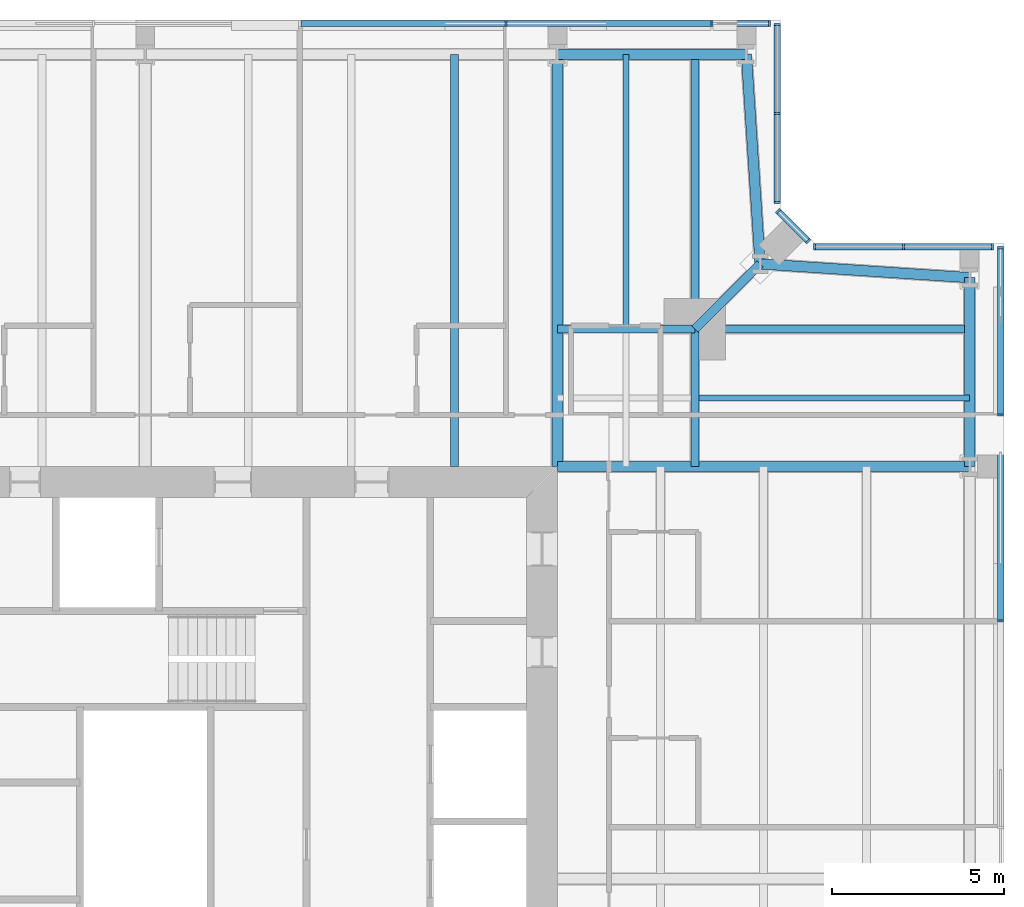
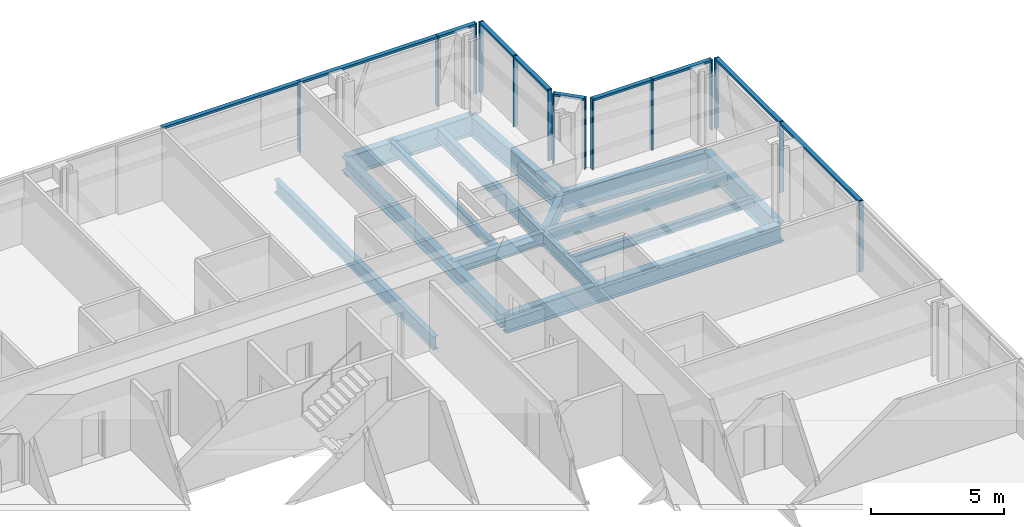
# One storey, part 9 of 20: 24 members, 14 beams, 5 elements without a shape of their own.
"""IFC4 building model written with IfcOpenShell, lengths in metres."""

from ifc_helpers import new_model, si_unit, direction, frame, origin, origin_2d, place, context, subcontext, project, spatial, rectangle, i_section, extrude, material, material_profile, profile_set, type_object, element, aggregate, save


model = new_model("IFC4")

# Units and contexts
model_context = context("Model", 3, precision=1e-05, world=origin(), true_north=direction((0.0, 1.0)))
body_context = subcontext(model_context, "Body", "Model", "MODEL_VIEW")
ifc_project = project(units=[si_unit("LENGTHUNIT", "METRE"), si_unit("AREAUNIT", "SQUARE_METRE"), si_unit("VOLUMEUNIT", "CUBIC_METRE"), si_unit("PLANEANGLEUNIT", "RADIAN"), si_unit("MASSUNIT", "GRAM", prefix="KILO")], contexts=[model_context])

# Site, building, storey
site_placement = place(None, origin())
site = spatial("IfcSite", under=ifc_project, at=site_placement, CompositionType="ELEMENT")
building_placement = place(site_placement, origin())
building = spatial("IfcBuilding", under=site, at=building_placement, Name="Fenwick Lantern Interchange", CompositionType="ELEMENT")
storey_placement = place(building_placement, frame((0.0, 0.0, 245.800048828125)))
storey = spatial("IfcBuildingStorey", under=building, at=storey_placement, Name="L57", CompositionType="ELEMENT", Elevation=245.800048828125)

# Beams
ifc_material_1 = material(Name="Steel ASTM A992 Grade 50", Category="steel")
ifc_material_profile_1 = material_profile(ifc_material_1, i_section(OverallWidth=0.3046875, OverallDepth=0.911865234375, WebThickness=0.015869140625, FlangeThickness=0.02392578125, at=origin_2d()), Name="W36X150")
ifc_profile_set_1 = profile_set([ifc_material_profile_1], Name="Steel ASTM A992 Grade 50")
beam_type_1 = type_object("IfcBeamType", Name="EDGE BEAM W36X150", PredefinedType="SPANDREL", material=ifc_profile_set_1)
beam_1_placement = place(storey_placement, frame((49.0, 37.0, -0.60595703125), z_axis=(0.0, 1.0, 0.0), x_axis=(-1.0, 0.0, 0.0)))
element("IfcBeam", 1, at=beam_1_placement, inside=storey, type_object=beam_type_1, Name="L57/FR/E/EB4", PredefinedType="SPANDREL", context=body_context, shape_type="SweptSolid", body=[
    extrude(i_section(OverallWidth=0.3046875, OverallDepth=0.911865234375, WebThickness=0.015869140625, FlangeThickness=0.02392578125, at=origin_2d()), origin(), (0.0, 0.0, 1.0), 5.5),
])
for number, where, z_axis, x_axis, name in (
    (2, (49.0, 42.5, -0.60595703125), (-0.997858060337, 0.065416293237, 0.0), (-0.065416293237, -0.997858060337, 0.0), "L57/FR/E/EBR1"),
    (3, (42.89990234375, 42.89990234375, -0.60595703125), (-0.065416293237, 0.997858060337, 0.0), (-0.997858060337, -0.065416293237, 0.0), "L57/FR/E/EBR2"),
):
    element("IfcBeam", number, at=place(storey_placement, frame(where, z_axis=z_axis, x_axis=x_axis)), inside=storey, type_object=beam_type_1, Name=name, PredefinedType="SPANDREL", context=body_context, shape_type="SweptSolid", body=[
        extrude(i_section(OverallWidth=0.3046875, OverallDepth=0.911865234375, WebThickness=0.015869140625, FlangeThickness=0.02392578125, at=origin_2d()), origin(), (0.0, 0.0, 1.0), 6.11328125),
    ])
beam_2_placement = place(storey_placement, frame((42.5, 49.0, -0.60595703125), z_axis=(-1.0, 0.0, 0.0), x_axis=(0.0, -1.0, 0.0)))
element("IfcBeam", 4, at=beam_2_placement, inside=storey, type_object=beam_type_1, Name="L57/FR/N/EB1", PredefinedType="SPANDREL", context=body_context, shape_type="SweptSolid", body=[
    extrude(i_section(OverallWidth=0.3046875, OverallDepth=0.911865234375, WebThickness=0.015869140625, FlangeThickness=0.02392578125, at=origin_2d()), origin(), (0.0, 0.0, 1.0), 5.5),
])
ifc_material_profile_2 = material_profile(ifc_material_1, i_section(OverallWidth=0.22900390625, OverallDepth=0.612060546875, WebThickness=0.011962890625, FlangeThickness=0.01953125, at=origin_2d()), Name="W24X84")
ifc_profile_set_2 = profile_set([ifc_material_profile_2], Name="Steel ASTM A992 Grade 50")
beam_type_2 = type_object("IfcBeamType", Name="FLOOR BEAM W24X84", PredefinedType="BEAM", material=ifc_profile_set_2)
beam_3_placement = place(storey_placement, frame((34.0, 49.0, -0.4560546875), z_axis=(0.0, -1.0, 0.0), x_axis=(1.0, 0.0, 0.0)))
element("IfcBeam", 5, at=beam_3_placement, inside=storey, type_object=beam_type_2, Name="L57/FR/N/R02", PredefinedType="BEAM", context=body_context, shape_type="SweptSolid", body=[
    extrude(i_section(OverallWidth=0.22900390625, OverallDepth=0.612060546875, WebThickness=0.011962890625, FlangeThickness=0.01953125, at=origin_2d()), origin(), (0.0, 0.0, 1.0), 12.0),
])

# Curtain wall, members
ifc_material_2 = material(Name="Aluminium curtain wall frame", Category="aluminium")
curtain_wall_type = type_object("IfcCurtainWallType", Name="HOTEL CURTAIN WALL", PredefinedType="USERDEFINED", material=ifc_material_2)
curtain_wall_1_placement = place(storey_placement, origin())
curtain_wall_1 = element("IfcCurtainWall", 6, at=curtain_wall_1_placement, inside=storey, type_object=curtain_wall_type, Name="Hotel curtain wall 05", ObjectType="HOTEL CURTAIN WALL", PredefinedType="USERDEFINED")
ifc_material_3 = material(Name="Aluminium extrusion", Category="aluminium")
ifc_material_profile_3 = material_profile(ifc_material_3, rectangle(XDim=0.179931640625, YDim=0.06005859375, at=origin_2d()), Name="HOTEL CURTAIN WALL MULLION 60 X 180")
ifc_profile_set_3 = profile_set([ifc_material_profile_3], Name="Aluminium extrusion")
member_type_1 = type_object("IfcMemberType", Name="HOTEL CURTAIN WALL MULLION 60 X 180", PredefinedType="MULLION", material=ifc_profile_set_3)
member_1_placement = place(storey_placement, frame((49.89990234375, 32.5, 0.0), z_axis=(0.0, 0.0, 1.0), x_axis=(-1.0, 0.0, 0.0)))
member_1 = element("IfcMember", 7, at=member_1_placement, type_object=member_type_1, Name="L57/CW/05/M05", PredefinedType="MULLION", context=body_context, shape_type="SweptSolid", body=[
    extrude(rectangle(XDim=0.179931640625, YDim=0.06005859375, at=origin_2d()), origin(), (0.0, 0.0, 1.0), 3.25),
])
member_2_placement = place(storey_placement, frame((49.89990234375, 38.5, 0.0), z_axis=(0.0, 0.0, 1.0), x_axis=(-1.0, 0.0, 0.0)))
member_2 = element("IfcMember", 8, at=member_2_placement, type_object=member_type_1, Name="L57/CW/05/M06", PredefinedType="MULLION", context=body_context, shape_type="SweptSolid", body=[
    extrude(rectangle(XDim=0.179931640625, YDim=0.06005859375, at=origin_2d()), origin(), (0.0, 0.0, 1.0), 3.25),
])
member_3_placement = place(storey_placement, frame((49.89990234375, 43.3701171875, 0.0), z_axis=(0.0, 0.0, 1.0), x_axis=(-1.0, 0.0, 0.0)))
member_3 = element("IfcMember", 9, at=member_3_placement, type_object=member_type_1, Name="L57/CW/05/M07", PredefinedType="MULLION", context=body_context, shape_type="SweptSolid", body=[
    extrude(rectangle(XDim=0.179931640625, YDim=0.06005859375, at=origin_2d()), origin(), (0.0, 0.0, 1.0), 3.25),
])

curtain_wall_2_placement = place(storey_placement, origin())
curtain_wall_2 = element("IfcCurtainWall", 10, at=curtain_wall_2_placement, inside=storey, type_object=curtain_wall_type, Name="Hotel curtain wall 06", ObjectType="HOTEL CURTAIN WALL", PredefinedType="USERDEFINED")
member_4_placement = place(storey_placement, frame((49.669921875, 43.39990234375, 0.0), z_axis=(0.0, 0.0, 1.0), x_axis=(0.0, -1.0, 0.0)))
member_4 = element("IfcMember", 11, at=member_4_placement, type_object=member_type_1, Name="L57/CW/06/M00", PredefinedType="MULLION", context=body_context, shape_type="SweptSolid", body=[
    extrude(rectangle(XDim=0.179931640625, YDim=0.06005859375, at=origin_2d()), origin(), (0.0, 0.0, 1.0), 3.25),
])
member_5_placement = place(storey_placement, frame((47.079345703125, 43.39990234375, 0.0), z_axis=(0.0, 0.0, 1.0), x_axis=(0.0, -1.0, 0.0)))
member_5 = element("IfcMember", 12, at=member_5_placement, type_object=member_type_1, Name="L57/CW/06/M01", PredefinedType="MULLION", context=body_context, shape_type="SweptSolid", body=[
    extrude(rectangle(XDim=0.179931640625, YDim=0.06005859375, at=origin_2d()), origin(), (0.0, 0.0, 1.0), 3.25),
])
member_6_placement = place(storey_placement, frame((44.488525390625, 43.39990234375, 0.0), z_axis=(0.0, 0.0, 1.0), x_axis=(0.0, -1.0, 0.0)))
member_6 = element("IfcMember", 13, at=member_6_placement, type_object=member_type_1, Name="L57/CW/06/M02", PredefinedType="MULLION", context=body_context, shape_type="SweptSolid", body=[
    extrude(rectangle(XDim=0.179931640625, YDim=0.06005859375, at=origin_2d()), origin(), (0.0, 0.0, 1.0), 3.25),
])

curtain_wall_3_placement = place(storey_placement, origin())
curtain_wall_3 = element("IfcCurtainWall", 14, at=curtain_wall_3_placement, inside=storey, type_object=curtain_wall_type, Name="Hotel curtain wall 07", ObjectType="HOTEL CURTAIN WALL", PredefinedType="USERDEFINED")
member_7_placement = place(storey_placement, frame((44.2958984375, 43.562744140625, 0.0), z_axis=(0.0, 0.0, 1.0), x_axis=(-0.707106781187, -0.707106781187, 0.0)))
member_7 = element("IfcMember", 15, at=member_7_placement, type_object=member_type_1, Name="L57/CW/07/M00", PredefinedType="MULLION", context=body_context, shape_type="SweptSolid", body=[
    extrude(rectangle(XDim=0.179931640625, YDim=0.06005859375, at=origin_2d()), origin(), (0.0, 0.0, 1.0), 3.25),
])
member_8_placement = place(storey_placement, frame((43.421142578125, 44.437255859375, 0.0), z_axis=(0.0, 0.0, 1.0), x_axis=(-0.707106781187, -0.707106781187, 0.0)))
member_8 = element("IfcMember", 16, at=member_8_placement, type_object=member_type_1, Name="L57/CW/07/M01", PredefinedType="MULLION", context=body_context, shape_type="SweptSolid", body=[
    extrude(rectangle(XDim=0.179931640625, YDim=0.06005859375, at=origin_2d()), origin(), (0.0, 0.0, 1.0), 3.25),
])

curtain_wall_4_placement = place(storey_placement, origin())
curtain_wall_4 = element("IfcCurtainWall", 17, at=curtain_wall_4_placement, inside=storey, type_object=curtain_wall_type, Name="Hotel curtain wall 08", ObjectType="HOTEL CURTAIN WALL", PredefinedType="USERDEFINED")
member_9_placement = place(storey_placement, frame((43.39990234375, 44.6884765625, 0.0), z_axis=(0.0, 0.0, 1.0), x_axis=(-1.0, 0.0, 0.0)))
member_9 = element("IfcMember", 18, at=member_9_placement, type_object=member_type_1, Name="L57/CW/08/M00", PredefinedType="MULLION", context=body_context, shape_type="SweptSolid", body=[
    extrude(rectangle(XDim=0.179931640625, YDim=0.06005859375, at=origin_2d()), origin(), (0.0, 0.0, 1.0), 3.25),
])
member_10_placement = place(storey_placement, frame((43.39990234375, 47.279296875, 0.0), z_axis=(0.0, 0.0, 1.0), x_axis=(-1.0, 0.0, 0.0)))
member_10 = element("IfcMember", 19, at=member_10_placement, type_object=member_type_1, Name="L57/CW/08/M01", PredefinedType="MULLION", context=body_context, shape_type="SweptSolid", body=[
    extrude(rectangle(XDim=0.179931640625, YDim=0.06005859375, at=origin_2d()), origin(), (0.0, 0.0, 1.0), 3.25),
])
member_11_placement = place(storey_placement, frame((43.39990234375, 49.8701171875, 0.0), z_axis=(0.0, 0.0, 1.0), x_axis=(-1.0, 0.0, 0.0)))
member_11 = element("IfcMember", 20, at=member_11_placement, type_object=member_type_1, Name="L57/CW/08/M02", PredefinedType="MULLION", context=body_context, shape_type="SweptSolid", body=[
    extrude(rectangle(XDim=0.179931640625, YDim=0.06005859375, at=origin_2d()), origin(), (0.0, 0.0, 1.0), 3.25),
])

curtain_wall_5_placement = place(storey_placement, origin())
curtain_wall_5 = element("IfcCurtainWall", 21, at=curtain_wall_5_placement, inside=storey, type_object=curtain_wall_type, Name="Hotel curtain wall 09", ObjectType="HOTEL CURTAIN WALL", PredefinedType="USERDEFINED")
member_12_placement = place(storey_placement, frame((43.169921875, 49.89990234375, 0.0), z_axis=(0.0, 0.0, 1.0), x_axis=(0.0, -1.0, 0.0)))
member_12 = element("IfcMember", 22, at=member_12_placement, type_object=member_type_1, Name="L57/CW/09/M00", PredefinedType="MULLION", context=body_context, shape_type="SweptSolid", body=[
    extrude(rectangle(XDim=0.179931640625, YDim=0.06005859375, at=origin_2d()), origin(), (0.0, 0.0, 1.0), 3.25),
])
member_13_placement = place(storey_placement, frame((41.5, 49.89990234375, 0.0), z_axis=(0.0, 0.0, 1.0), x_axis=(0.0, -1.0, 0.0)))
member_13 = element("IfcMember", 23, at=member_13_placement, type_object=member_type_1, Name="L57/CW/09/M01", PredefinedType="MULLION", context=body_context, shape_type="SweptSolid", body=[
    extrude(rectangle(XDim=0.179931640625, YDim=0.06005859375, at=origin_2d()), origin(), (0.0, 0.0, 1.0), 3.25),
])
member_14_placement = place(storey_placement, frame((35.5, 49.89990234375, 0.0), z_axis=(0.0, 0.0, 1.0), x_axis=(0.0, -1.0, 0.0)))
member_14 = element("IfcMember", 24, at=member_14_placement, type_object=member_type_1, Name="L57/CW/09/M02", PredefinedType="MULLION", context=body_context, shape_type="SweptSolid", body=[
    extrude(rectangle(XDim=0.179931640625, YDim=0.06005859375, at=origin_2d()), origin(), (0.0, 0.0, 1.0), 3.25),
])

# Member
ifc_material_profile_4 = material_profile(ifc_material_3, rectangle(XDim=0.179931640625, YDim=0.10009765625, at=origin_2d()), Name="HOTEL CURTAIN WALL TRANSOM 100 X 180")
ifc_profile_set_4 = profile_set([ifc_material_profile_4], Name="Aluminium extrusion")
member_type_2 = type_object("IfcMemberType", Name="HOTEL CURTAIN WALL TRANSOM 100 X 180", PredefinedType="MULLION", material=ifc_profile_set_4)
member_15_placement = place(storey_placement, frame((49.89990234375, 32.530029296875, 3.199951171875), z_axis=(0.0, 1.0, 0.0), x_axis=(-1.0, 0.0, 0.0)))
member_15 = element("IfcMember", 25, at=member_15_placement, type_object=member_type_2, Name="L57/CW/05/T05", PredefinedType="MULLION", context=body_context, shape_type="SweptSolid", body=[
    extrude(rectangle(XDim=0.179931640625, YDim=0.10009765625, at=origin_2d()), origin(), (0.0, 0.0, 1.0), 5.93994140625),
])

member_16_placement = place(storey_placement, frame((49.89990234375, 38.530029296875, 3.199951171875), z_axis=(0.0, 1.0, 0.0), x_axis=(-1.0, 0.0, 0.0)))
member_16 = element("IfcMember", 26, at=member_16_placement, type_object=member_type_2, Name="L57/CW/05/T06", PredefinedType="MULLION", context=body_context, shape_type="SweptSolid", body=[
    extrude(rectangle(XDim=0.179931640625, YDim=0.10009765625, at=origin_2d()), origin(), (0.0, 0.0, 1.0), 4.81005859375),
])

aggregate(curtain_wall_1, [member_1, member_2, member_3, member_15, member_16])

member_17_placement = place(storey_placement, frame((49.639892578125, 43.39990234375, 3.199951171875), z_axis=(-1.0, 0.0, 0.0), x_axis=(0.0, -1.0, 0.0)))
member_17 = element("IfcMember", 27, at=member_17_placement, type_object=member_type_2, Name="L57/CW/06/T00", PredefinedType="MULLION", context=body_context, shape_type="SweptSolid", body=[
    extrude(rectangle(XDim=0.179931640625, YDim=0.10009765625, at=origin_2d()), origin(), (0.0, 0.0, 1.0), 2.530517578125),
])

member_18_placement = place(storey_placement, frame((47.04931640625, 43.39990234375, 3.199951171875), z_axis=(-1.0, 0.0, 0.0), x_axis=(0.0, -1.0, 0.0)))
member_18 = element("IfcMember", 28, at=member_18_placement, type_object=member_type_2, Name="L57/CW/06/T01", PredefinedType="MULLION", context=body_context, shape_type="SweptSolid", body=[
    extrude(rectangle(XDim=0.179931640625, YDim=0.10009765625, at=origin_2d()), origin(), (0.0, 0.0, 1.0), 2.53076171875),
])

aggregate(curtain_wall_2, [member_4, member_5, member_6, member_17, member_18])

member_19_placement = place(storey_placement, frame((44.274658203125, 43.583740234375, 3.199951171875), z_axis=(-0.707003077033, 0.707210470133, 0.0), x_axis=(-0.707210470133, -0.707003077033, 0.0)))
member_19 = element("IfcMember", 29, at=member_19_placement, type_object=member_type_2, Name="L57/CW/07/T00", PredefinedType="MULLION", context=body_context, shape_type="SweptSolid", body=[
    extrude(rectangle(XDim=0.179931640625, YDim=0.10009765625, at=origin_2d()), origin(), (0.0, 0.0, 1.0), 1.17724609375),
])

aggregate(curtain_wall_3, [member_7, member_8, member_19])

member_20_placement = place(storey_placement, frame((43.39990234375, 44.718505859375, 3.199951171875), z_axis=(0.0, 1.0, 0.0), x_axis=(-1.0, 0.0, 0.0)))
member_20 = element("IfcMember", 30, at=member_20_placement, type_object=member_type_2, Name="L57/CW/08/T00", PredefinedType="MULLION", context=body_context, shape_type="SweptSolid", body=[
    extrude(rectangle(XDim=0.179931640625, YDim=0.10009765625, at=origin_2d()), origin(), (0.0, 0.0, 1.0), 2.53076171875),
])

member_21_placement = place(storey_placement, frame((43.39990234375, 47.309326171875, 3.199951171875), z_axis=(0.0, 1.0, 0.0), x_axis=(-1.0, 0.0, 0.0)))
member_21 = element("IfcMember", 31, at=member_21_placement, type_object=member_type_2, Name="L57/CW/08/T01", PredefinedType="MULLION", context=body_context, shape_type="SweptSolid", body=[
    extrude(rectangle(XDim=0.179931640625, YDim=0.10009765625, at=origin_2d()), origin(), (0.0, 0.0, 1.0), 2.53076171875),
])

aggregate(curtain_wall_4, [member_9, member_10, member_11, member_20, member_21])

member_22_placement = place(storey_placement, frame((43.139892578125, 49.89990234375, 3.199951171875), z_axis=(-1.0, 0.0, 0.0), x_axis=(0.0, -1.0, 0.0)))
member_22 = element("IfcMember", 32, at=member_22_placement, type_object=member_type_2, Name="L57/CW/09/T00", PredefinedType="MULLION", context=body_context, shape_type="SweptSolid", body=[
    extrude(rectangle(XDim=0.179931640625, YDim=0.10009765625, at=origin_2d()), origin(), (0.0, 0.0, 1.0), 1.60986328125),
])

member_23_placement = place(storey_placement, frame((41.469970703125, 49.89990234375, 3.199951171875), z_axis=(-1.0, 0.0, 0.0), x_axis=(0.0, -1.0, 0.0)))
member_23 = element("IfcMember", 33, at=member_23_placement, type_object=member_type_2, Name="L57/CW/09/T01", PredefinedType="MULLION", context=body_context, shape_type="SweptSolid", body=[
    extrude(rectangle(XDim=0.179931640625, YDim=0.10009765625, at=origin_2d()), origin(), (0.0, 0.0, 1.0), 5.93994140625),
])

member_24_placement = place(storey_placement, frame((35.469970703125, 49.89990234375, 3.199951171875), z_axis=(-1.0, 0.0, 0.0), x_axis=(0.0, -1.0, 0.0)))
member_24 = element("IfcMember", 34, at=member_24_placement, type_object=member_type_2, Name="L57/CW/09/T02", PredefinedType="MULLION", context=body_context, shape_type="SweptSolid", body=[
    extrude(rectangle(XDim=0.179931640625, YDim=0.10009765625, at=origin_2d()), origin(), (0.0, 0.0, 1.0), 5.93994140625),
])

aggregate(curtain_wall_5, [member_12, member_13, member_14, member_22, member_23, member_24])

# Beams
ifc_material_profile_5 = material_profile(ifc_material_1, i_section(OverallWidth=0.177734375, OverallDepth=0.406494140625, WebThickness=0.0078125, FlangeThickness=0.012939453125, at=origin_2d()), Name="W16X40")
ifc_profile_set_5 = profile_set([ifc_material_profile_5], Name="Steel ASTM A992 Grade 50")
beam_type_3 = type_object("IfcBeamType", Name="INFILL BEAM W16X40", PredefinedType="JOIST", material=ifc_profile_set_5)
for number, where, z_axis, x_axis, name in (
    (35, (39.0, 49.0, -0.353271484375), (0.0, -1.0, 0.0), (1.0, 0.0, 0.0), "L57/FR/N/J1"),
    (36, (49.0, 39.0, -0.353271484375), (-1.0, 0.0, 0.0), (0.0, -1.0, 0.0), "L57/FR/N/J3"),
):
    element("IfcBeam", number, at=place(storey_placement, frame(where, z_axis=z_axis, x_axis=x_axis)), inside=storey, type_object=beam_type_3, Name=name, PredefinedType="JOIST", context=body_context, shape_type="SweptSolid", body=[
        extrude(i_section(OverallWidth=0.177734375, OverallDepth=0.406494140625, WebThickness=0.0078125, FlangeThickness=0.012939453125, at=origin_2d()), origin(), (0.0, 0.0, 1.0), 7.885498046875),
    ])
ifc_material_profile_6 = material_profile(ifc_material_1, i_section(OverallWidth=0.22900390625, OverallDepth=0.612060546875, WebThickness=0.011962890625, FlangeThickness=0.01953125, at=origin_2d()), Name="W24X84")
ifc_profile_set_6 = profile_set([ifc_material_profile_6], Name="Steel ASTM A992 Grade 50")
beam_type_4 = type_object("IfcBeamType", Name="MEGA COLUMN BEAM W24X84", PredefinedType="BEAM", material=ifc_profile_set_6)
for number, where, z_axis, x_axis, name in (
    (37, (41.0, 41.0, -0.4560546875), (0.0, 1.0, 0.0), (-1.0, 0.0, 0.0), "L57/FR/N/MB1"),
    (38, (41.0, 41.0, -0.4560546875), (1.0, 0.0, 0.0), (0.0, 1.0, 0.0), "L57/FR/N/MB2"),
):
    element("IfcBeam", number, at=place(storey_placement, frame(where, z_axis=z_axis, x_axis=x_axis)), inside=storey, type_object=beam_type_4, Name=name, PredefinedType="BEAM", context=body_context, shape_type="SweptSolid", body=[
        extrude(i_section(OverallWidth=0.22900390625, OverallDepth=0.612060546875, WebThickness=0.011962890625, FlangeThickness=0.01953125, at=origin_2d()), origin(), (0.0, 0.0, 1.0), 8.0),
    ])
for number, where, z_axis, x_axis, name in (
    (39, (41.0, 41.0, -0.4560546875), (-1.0, 0.0, 0.0), (0.0, -1.0, 0.0), "L57/FR/N/MB3"),
    (40, (41.0, 41.0, -0.4560546875), (0.0, -1.0, 0.0), (1.0, 0.0, 0.0), "L57/FR/N/MB4"),
):
    element("IfcBeam", number, at=place(storey_placement, frame(where, z_axis=z_axis, x_axis=x_axis)), inside=storey, type_object=beam_type_4, Name=name, PredefinedType="BEAM", context=body_context, shape_type="SweptSolid", body=[
        extrude(i_section(OverallWidth=0.22900390625, OverallDepth=0.612060546875, WebThickness=0.011962890625, FlangeThickness=0.01953125, at=origin_2d()), origin(), (0.0, 0.0, 1.0), 4.0),
    ])
ifc_material_profile_7 = material_profile(ifc_material_1, i_section(OverallWidth=0.32763671875, OverallDepth=0.622314453125, WebThickness=0.015380859375, FlangeThickness=0.0244140625, at=origin_2d()), Name="W24X131")
ifc_profile_set_7 = profile_set([ifc_material_profile_7], Name="Steel ASTM A992 Grade 50")
beam_type_5 = type_object("IfcBeamType", Name="MOMENT-CONNECTED GIRDER W24X131", PredefinedType="BEAM", material=ifc_profile_set_7)
beam_4_placement = place(storey_placement, frame((37.0, 49.0, -0.461181640625), z_axis=(0.0, -1.0, 0.0), x_axis=(1.0, 0.0, 0.0)))
element("IfcBeam", 41, at=beam_4_placement, inside=storey, type_object=beam_type_5, Name="L57/FR/N/R01", PredefinedType="BEAM", context=body_context, shape_type="SweptSolid", body=[
    extrude(i_section(OverallWidth=0.32763671875, OverallDepth=0.622314453125, WebThickness=0.015380859375, FlangeThickness=0.0244140625, at=origin_2d()), origin(), (0.0, 0.0, 1.0), 12.0),
])
ifc_material_profile_8 = material_profile(ifc_material_1, i_section(OverallWidth=0.2919921875, OverallDepth=0.845703125, WebThickness=0.015380859375, FlangeThickness=0.0244140625, at=origin_2d()), Name="W33X141")
ifc_profile_set_8 = profile_set([ifc_material_profile_8], Name="Steel ASTM A992 Grade 50")
beam_type_6 = type_object("IfcBeamType", Name="MOMENT-CONNECTED GIRDER W33X141", PredefinedType="BEAM", material=ifc_profile_set_8)
beam_5_placement = place(storey_placement, frame((49.0, 37.0, -0.572998046875), z_axis=(-1.0, 0.0, 0.0), x_axis=(0.0, -1.0, 0.0)))
element("IfcBeam", 42, at=beam_5_placement, inside=storey, type_object=beam_type_6, Name="L57/FR/E/R03", PredefinedType="BEAM", context=body_context, shape_type="SweptSolid", body=[
    extrude(i_section(OverallWidth=0.2919921875, OverallDepth=0.845703125, WebThickness=0.015380859375, FlangeThickness=0.0244140625, at=origin_2d()), origin(), (0.0, 0.0, 1.0), 12.0),
])
ifc_material_profile_9 = material_profile(ifc_material_1, i_section(OverallWidth=0.2666015625, OverallDepth=0.7568359375, WebThickness=0.013916015625, FlangeThickness=0.019287109375, at=origin_2d()), Name="W30X108")
ifc_profile_set_9 = profile_set([ifc_material_profile_9], Name="Steel ASTM A992 Grade 50")
beam_type_7 = type_object("IfcBeamType", Name="NOTCH BEAM W30X108", PredefinedType="BEAM", material=ifc_profile_set_9)
beam_6_placement = place(storey_placement, frame((41.0, 41.0, -0.528564453125), z_axis=(0.707106781187, 0.707106781187, 0.0), x_axis=(-0.707106781187, 0.707106781187, 0.0)))
element("IfcBeam", 43, at=beam_6_placement, inside=storey, type_object=beam_type_7, Name="L57/FR/N/TG", PredefinedType="BEAM", context=body_context, shape_type="SweptSolid", body=[
    extrude(i_section(OverallWidth=0.2666015625, OverallDepth=0.7568359375, WebThickness=0.013916015625, FlangeThickness=0.019287109375, at=origin_2d()), origin(), (0.0, 0.0, 1.0), 2.686767578125),
])

save(model, "model.ifc")
